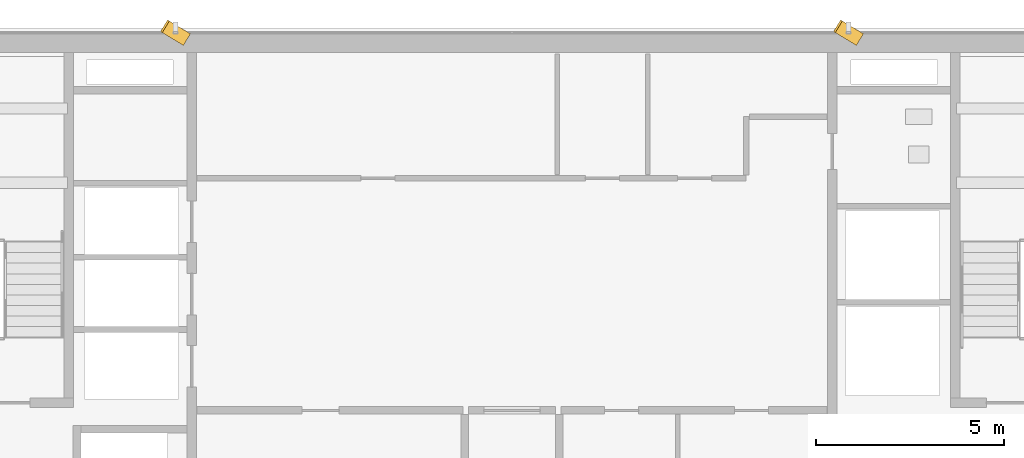
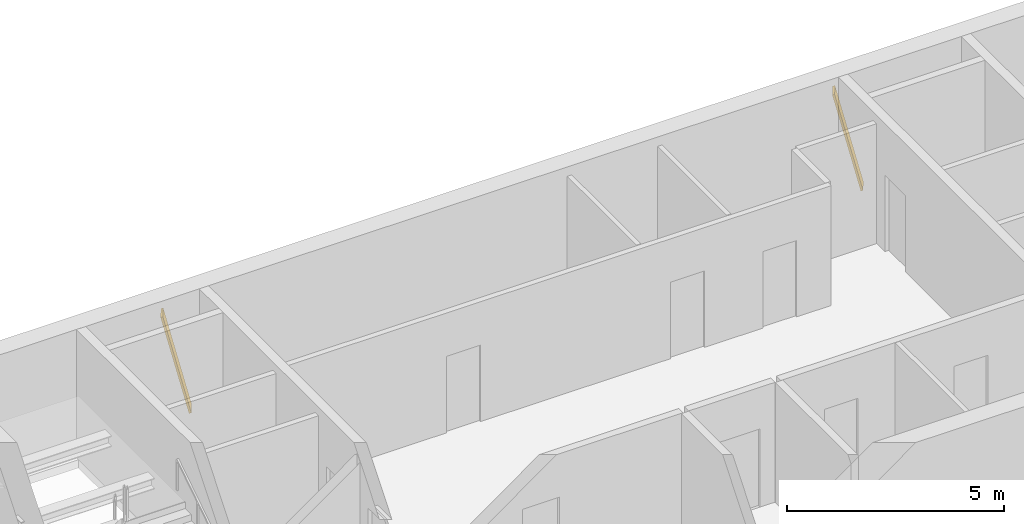
# One storey, part 25 of 26: 2 shading devices.
"""IFC4 building model written with IfcOpenShell, lengths in metres."""

from ifc_helpers import new_model, si_unit, direction, frame, origin, origin_2d, place, context, subcontext, project, spatial, rectangle, extrude, source, transform, mapped, material, material_profile, profile_set, type_object, element, save


model = new_model("IFC4")

# Units and contexts
model_context = context("Model", 3, precision=1e-05, world=origin(), true_north=direction((0.0, 1.0)))
body_context = subcontext(model_context, "Body", "Model", "MODEL_VIEW")
ifc_project = project(units=[si_unit("LENGTHUNIT", "METRE"), si_unit("AREAUNIT", "SQUARE_METRE"), si_unit("VOLUMEUNIT", "CUBIC_METRE"), si_unit("PLANEANGLEUNIT", "RADIAN"), si_unit("MASSUNIT", "GRAM", prefix="KILO")], contexts=[model_context])

# Site, building, storey
site_placement = place(None, origin())
site = spatial("IfcSite", under=ifc_project, at=site_placement, CompositionType="ELEMENT")
building_placement = place(site_placement, origin())
building = spatial("IfcBuilding", under=site, at=building_placement, Name="Sumidabori Civic Tower", CompositionType="ELEMENT")
storey_placement = place(building_placement, frame((0.0, 0.0, 250.39990234375)))
storey = spatial("IfcBuildingStorey", under=building, at=storey_placement, Name="L65", CompositionType="ELEMENT", Elevation=250.39990234375)

# Shading devices
ifc_material = material(Name="Anodised Bronze Aluminium AW-6063-T6", Category="aluminium")
ifc_material_profile = material_profile(ifc_material, rectangle(XDim=0.054931640625, YDim=0.360107421875, at=origin_2d()), Name="BRONZE FIN 360x55")
ifc_profile_set = profile_set([ifc_material_profile], Name="Anodised Bronze Aluminium AW-6063-T6")
shading_device_type = type_object("IfcShadingDeviceType", Name="SH-FIN-360", PredefinedType="USERDEFINED", material=ifc_profile_set)
shared_shape = source(origin(), body_context, "Body", "SweptSolid", [
    extrude(rectangle(XDim=0.054931640625, YDim=0.360107421875, at=origin_2d()), origin(), (0.0, 0.0, 1.0), 2.768798828125),
])
for number, where, z_axis, x_axis, name in (
    (1, (9.215087890625, 23.909912109375, 0.02001953125), (-0.202272600211, 0.122827258978, 0.971596243126), (0.830473922694, -0.504293885925, 0.236644755582), "Bronze Anodised Diagonal Fin L65-01"),
    (2, (-8.655029296875, 23.909912109375, 0.02001953125), (-0.202272600211, 0.122827258978, 0.971596243126), (0.830473922694, -0.504293885925, 0.236644755582), "Bronze Anodised Diagonal Fin L65-03"),
):
    element("IfcShadingDevice", number, at=place(storey_placement, frame(where, z_axis=z_axis, x_axis=x_axis)), inside=storey, type_object=shading_device_type, Name=name, ObjectType="FIN", PredefinedType="USERDEFINED", context=body_context, shape_type="MappedRepresentation", body=[
        mapped(shared_shape, transform((0.0, 0.0, 0.0), x_axis=(1.0, 0.0, 0.0), y_axis=(0.0, 1.0, 0.0), z_axis=(0.0, 0.0, 1.0), scale=1.0)),
    ])

save(model, "model.ifc")
